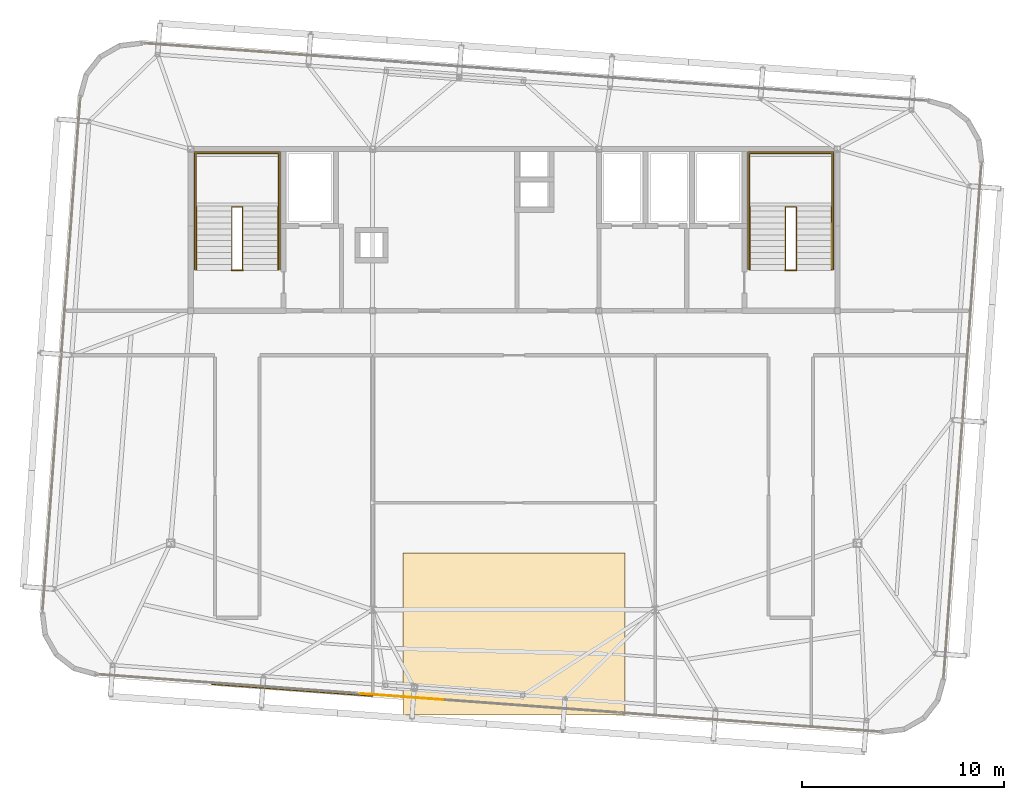
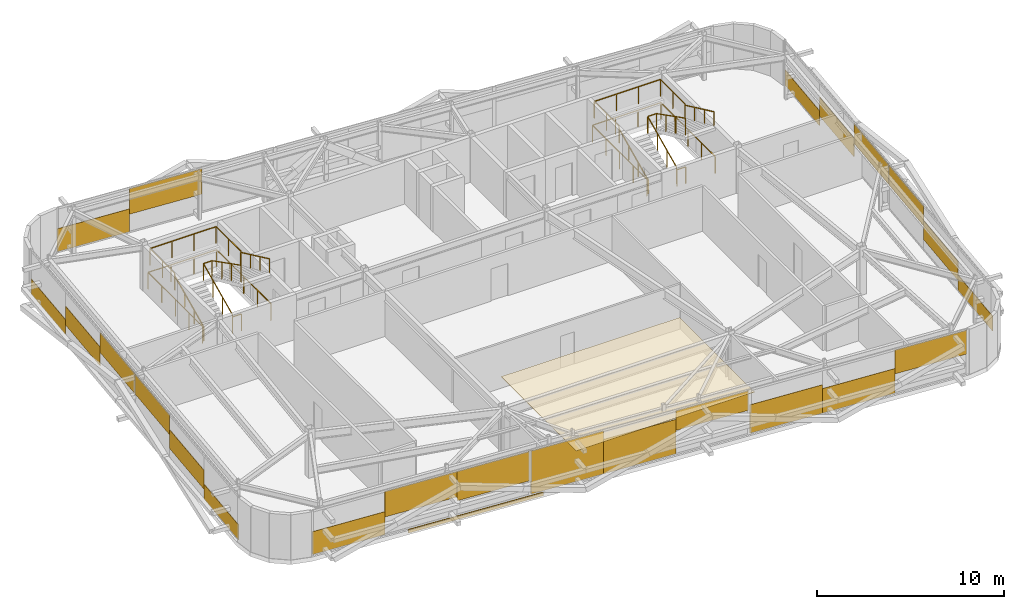
# One storey, part 34 of 35: 25 coverings, 12 railings.
"""IFC4 building model written with IfcOpenShell, lengths in metres."""

from ifc_helpers import new_model, si_unit, direction, frame, origin, origin_2d, place, context, subcontext, project, spatial, rectangle, extrude, source, transform, mapped, material, layer, layer_set, type_object, element, save


model = new_model("IFC4")

# Units and contexts
model_context = context("Model", 3, precision=1e-05, world=origin(), true_north=direction((0.0, 1.0)))
body_context = subcontext(model_context, "Body", "Model", "MODEL_VIEW")
ifc_project = project(units=[si_unit("LENGTHUNIT", "METRE"), si_unit("AREAUNIT", "SQUARE_METRE"), si_unit("VOLUMEUNIT", "CUBIC_METRE"), si_unit("PLANEANGLEUNIT", "RADIAN"), si_unit("MASSUNIT", "GRAM", prefix="KILO")], contexts=[model_context])

# Site, building, storey
site_placement = place(None, origin())
site = spatial("IfcSite", under=ifc_project, at=site_placement, CompositionType="ELEMENT")
building_placement = place(site_placement, origin())
building = spatial("IfcBuilding", under=site, at=building_placement, Name="Taldren Reach Tower", CompositionType="ELEMENT")
storey_placement = place(building_placement, frame((0.0, 0.0, 236.60009765625)))
storey = spatial("IfcBuildingStorey", under=building, at=storey_placement, Name="L72", CompositionType="ELEMENT", Elevation=236.60009765625)

# Railings
ifc_material_1 = material(Name="Steel Gr 350 (C350L0)", Category="steel")
ifc_layer_1 = layer(ifc_material_1, 0.050048828125)
ifc_layer_set_1 = layer_set([ifc_layer_1], Name="Steel Gr 350 (C350L0)")
railing_type_1 = type_object("IfcRailingType", Name="RL-STAIR-GR", PredefinedType="GUARDRAIL", material=ifc_layer_set_1)
railing_1_placement = place(storey_placement, frame((19.260009765625, 29.135009765625, 1.574951171875)))
element("IfcRailing", 1, at=railing_1_placement, inside=storey, type_object=railing_type_1, Name="Stair half-landing perimeter guard ST1-L72", PredefinedType="GUARDRAIL", context=body_context, shape_type="SweptSolid", body=[
    extrude(rectangle(XDim=0.047852, YDim=0.047852, at=origin_2d()), frame((0.0, 0.0, 1.09619140625), z_axis=(0.0, 1.0, 0.0), x_axis=(-1.0, 0.0, 0.0)), (0.0, 0.0, 1.0), 2.64501953125),
    extrude(rectangle(XDim=0.047852, YDim=0.047852, at=origin_2d()), frame((0.0, 2.64501953125, 1.09619140625), z_axis=(1.0, 0.0, 0.0), x_axis=(0.0, 1.0, 0.0)), (0.0, 0.0, 1.0), 4.080078125),
    extrude(rectangle(XDim=0.047852, YDim=0.047852, at=origin_2d()), frame((4.080078125, 2.64501953125, 1.09619140625), z_axis=(0.0, -1.0, 0.0), x_axis=(1.0, 0.0, 0.0)), (0.0, 0.0, 1.0), 2.64501953125),
    extrude(rectangle(XDim=0.041992, YDim=0.041992, at=origin_2d()), origin(), (0.0, 0.0, 1.0), 1.072021484375),
    extrude(rectangle(XDim=0.041992, YDim=0.041992, at=origin_2d()), frame((0.0, 1.322509765625, 0.0)), (0.0, 0.0, 1.0), 1.072021484375),
    extrude(rectangle(XDim=0.041992, YDim=0.041992, at=origin_2d()), frame((0.0, 2.64501953125, 0.0)), (0.0, 0.0, 1.0), 1.072021484375),
    extrude(rectangle(XDim=0.041992, YDim=0.041992, at=origin_2d()), frame((1.360107421875, 2.64501953125, 0.0)), (0.0, 0.0, 1.0), 1.072021484375),
    extrude(rectangle(XDim=0.041992, YDim=0.041992, at=origin_2d()), frame((2.719970703125, 2.64501953125, 0.0)), (0.0, 0.0, 1.0), 1.072021484375),
    extrude(rectangle(XDim=0.041992, YDim=0.041992, at=origin_2d()), frame((4.080078125, 2.64501953125, 0.0)), (0.0, 0.0, 1.0), 1.072021484375),
    extrude(rectangle(XDim=0.041992, YDim=0.041992, at=origin_2d()), frame((4.080078125, 1.322509765625, 0.0)), (0.0, 0.0, 1.0), 1.072021484375),
    extrude(rectangle(XDim=0.041992, YDim=0.041992, at=origin_2d()), frame((4.080078125, 0.0, 0.0)), (0.0, 0.0, 1.0), 1.072021484375),
])
railing_2_placement = place(storey_placement, frame((21.030029296875, 26.050048828125, 0.131103515625)))
element("IfcRailing", 2, at=railing_2_placement, inside=storey, type_object=railing_type_1, Name="Stairwell inner guard ST1-L72", PredefinedType="GUARDRAIL", context=body_context, shape_type="SweptSolid", body=[
    extrude(rectangle(XDim=0.047852, YDim=0.047852, at=origin_2d()), frame((0.0, 0.0, 1.09619140625), z_axis=(0.0, 0.905710134349, 0.423897573167), x_axis=(-1.0, 0.0, 0.0)), (0.0, 0.0, 1.0), 3.406005859375),
    extrude(rectangle(XDim=0.047852, YDim=0.047852, at=origin_2d()), frame((0.0, 3.0849609375, 2.5400390625), z_axis=(1.0, 0.0, 0.0), x_axis=(0.0, 1.0, 0.0)), (0.0, 0.0, 1.0), 0.5400390625),
    extrude(rectangle(XDim=0.047852, YDim=0.047852, at=origin_2d()), frame((0.5400390625, 3.0849609375, 2.5400390625), z_axis=(0.0, -0.890645957773, 0.45469745755), x_axis=(1.0, 0.0, 0.0)), (0.0, 0.0, 1.0), 3.463623046875),
    extrude(rectangle(XDim=0.041992, YDim=0.041992, at=origin_2d()), origin(), (0.0, 0.0, 1.0), 1.072021484375),
    extrude(rectangle(XDim=0.041992, YDim=0.041992, at=origin_2d()), frame((0.0, 1.0283203125, 0.481201171875)), (0.0, 0.0, 1.0), 1.072021484375),
    extrude(rectangle(XDim=0.041992, YDim=0.041992, at=origin_2d()), frame((0.0, 2.056640625, 0.962646484375)), (0.0, 0.0, 1.0), 1.072021484375),
    extrude(rectangle(XDim=0.041992, YDim=0.041992, at=origin_2d()), frame((0.0, 3.0849609375, 1.44384765625)), (0.0, 0.0, 1.0), 1.072021484375),
    extrude(rectangle(XDim=0.041992, YDim=0.041992, at=origin_2d()), frame((0.5400390625, 3.0849609375, 1.44384765625)), (0.0, 0.0, 1.0), 1.072021484375),
    extrude(rectangle(XDim=0.041992, YDim=0.041992, at=origin_2d()), frame((0.5400390625, 2.056640625, 1.96875)), (0.0, 0.0, 1.0), 1.072021484375),
    extrude(rectangle(XDim=0.041992, YDim=0.041992, at=origin_2d()), frame((0.5400390625, 1.0283203125, 2.493896484375)), (0.0, 0.0, 1.0), 1.072021484375),
    extrude(rectangle(XDim=0.041992, YDim=0.041992, at=origin_2d()), frame((0.5400390625, 0.0, 3.018798828125)), (0.0, 0.0, 1.0), 1.072021484375),
])
railing_3_placement = place(storey_placement, frame((21.030029296875, 26.010009765625, 0.0)))
element("IfcRailing", 3, at=railing_3_placement, inside=storey, type_object=railing_type_1, Name="Stairwell landing slot guard ST1-L72", PredefinedType="GUARDRAIL", context=body_context, shape_type="SweptSolid", body=[
    extrude(rectangle(XDim=0.047852, YDim=0.047852, at=origin_2d()), frame((0.0, 0.0, 1.09619140625), z_axis=(1.0, 0.0, 0.0), x_axis=(0.0, 1.0, 0.0)), (0.0, 0.0, 1.0), 0.5400390625),
    extrude(rectangle(XDim=0.041992, YDim=0.041992, at=origin_2d()), origin(), (0.0, 0.0, 1.0), 1.072021484375),
    extrude(rectangle(XDim=0.041992, YDim=0.041992, at=origin_2d()), frame((0.5400390625, 0.0, 0.0)), (0.0, 0.0, 1.0), 1.072021484375),
])
railing_4_placement = place(storey_placement, frame((19.18994140625, 26.050048828125, 0.0)))
element("IfcRailing", 4, at=railing_4_placement, inside=storey, type_object=railing_type_1, Name="Stairwell floor opening guard ST1-L72", PredefinedType="GUARDRAIL", context=body_context, shape_type="SweptSolid", body=[
    extrude(rectangle(XDim=0.047852, YDim=0.047852, at=origin_2d()), frame((0.0, 0.0, 1.09619140625), z_axis=(0.0, 1.0, 0.0), x_axis=(-1.0, 0.0, 0.0)), (0.0, 0.0, 1.0), 5.800048828125),
    extrude(rectangle(XDim=0.047852, YDim=0.047852, at=origin_2d()), frame((0.0, 5.800048828125, 1.09619140625), z_axis=(1.0, 0.0, 0.0), x_axis=(0.0, 1.0, 0.0)), (0.0, 0.0, 1.0), 4.219970703125),
    extrude(rectangle(XDim=0.047852, YDim=0.047852, at=origin_2d()), frame((4.219970703125, 5.800048828125, 1.09619140625), z_axis=(0.0, -1.0, 0.0), x_axis=(1.0, 0.0, 0.0)), (0.0, 0.0, 1.0), 5.800048828125),
    extrude(rectangle(XDim=0.041992, YDim=0.041992, at=origin_2d()), origin(), (0.0, 0.0, 1.0), 1.072021484375),
    extrude(rectangle(XDim=0.041992, YDim=0.041992, at=origin_2d()), frame((0.0, 1.449951171875, 0.0)), (0.0, 0.0, 1.0), 1.072021484375),
    extrude(rectangle(XDim=0.041992, YDim=0.041992, at=origin_2d()), frame((0.0, 2.89990234375, 0.0)), (0.0, 0.0, 1.0), 1.072021484375),
    extrude(rectangle(XDim=0.041992, YDim=0.041992, at=origin_2d()), frame((0.0, 4.35009765625, 0.0)), (0.0, 0.0, 1.0), 1.072021484375),
    extrude(rectangle(XDim=0.041992, YDim=0.041992, at=origin_2d()), frame((0.0, 5.800048828125, 0.0)), (0.0, 0.0, 1.0), 1.072021484375),
    extrude(rectangle(XDim=0.041992, YDim=0.041992, at=origin_2d()), frame((1.40673828125, 5.800048828125, 0.0)), (0.0, 0.0, 1.0), 1.072021484375),
    extrude(rectangle(XDim=0.041992, YDim=0.041992, at=origin_2d()), frame((2.813232421875, 5.800048828125, 0.0)), (0.0, 0.0, 1.0), 1.072021484375),
    extrude(rectangle(XDim=0.041992, YDim=0.041992, at=origin_2d()), frame((4.219970703125, 5.800048828125, 0.0)), (0.0, 0.0, 1.0), 1.072021484375),
    extrude(rectangle(XDim=0.041992, YDim=0.041992, at=origin_2d()), frame((4.219970703125, 4.35009765625, 0.0)), (0.0, 0.0, 1.0), 1.072021484375),
    extrude(rectangle(XDim=0.041992, YDim=0.041992, at=origin_2d()), frame((4.219970703125, 2.89990234375, 0.0)), (0.0, 0.0, 1.0), 1.072021484375),
    extrude(rectangle(XDim=0.041992, YDim=0.041992, at=origin_2d()), frame((4.219970703125, 1.449951171875, 0.0)), (0.0, 0.0, 1.0), 1.072021484375),
    extrude(rectangle(XDim=0.041992, YDim=0.041992, at=origin_2d()), frame((4.219970703125, 0.0, 0.0)), (0.0, 0.0, 1.0), 1.072021484375),
])
railing_5_placement = place(storey_placement, frame((46.659912109375, 29.135009765625, 1.574951171875)))
element("IfcRailing", 5, at=railing_5_placement, inside=storey, type_object=railing_type_1, Name="Stair half-landing perimeter guard ST2-L72", PredefinedType="GUARDRAIL", context=body_context, shape_type="SweptSolid", body=[
    extrude(rectangle(XDim=0.047852, YDim=0.047852, at=origin_2d()), frame((0.0, 0.0, 1.09619140625), z_axis=(0.0, 1.0, 0.0), x_axis=(-1.0, 0.0, 0.0)), (0.0, 0.0, 1.0), 2.64501953125),
    extrude(rectangle(XDim=0.047852, YDim=0.047852, at=origin_2d()), frame((0.0, 2.64501953125, 1.09619140625), z_axis=(1.0, 0.0, 0.0), x_axis=(0.0, 1.0, 0.0)), (0.0, 0.0, 1.0), 4.080078125),
    extrude(rectangle(XDim=0.047852, YDim=0.047852, at=origin_2d()), frame((4.080078125, 2.64501953125, 1.09619140625), z_axis=(0.0, -1.0, 0.0), x_axis=(1.0, 0.0, 0.0)), (0.0, 0.0, 1.0), 2.64501953125),
    extrude(rectangle(XDim=0.041992, YDim=0.041992, at=origin_2d()), origin(), (0.0, 0.0, 1.0), 1.072021484375),
    extrude(rectangle(XDim=0.041992, YDim=0.041992, at=origin_2d()), frame((0.0, 1.322509765625, 0.0)), (0.0, 0.0, 1.0), 1.072021484375),
    extrude(rectangle(XDim=0.041992, YDim=0.041992, at=origin_2d()), frame((0.0, 2.64501953125, 0.0)), (0.0, 0.0, 1.0), 1.072021484375),
    extrude(rectangle(XDim=0.041992, YDim=0.041992, at=origin_2d()), frame((1.360107421875, 2.64501953125, 0.0)), (0.0, 0.0, 1.0), 1.072021484375),
    extrude(rectangle(XDim=0.041992, YDim=0.041992, at=origin_2d()), frame((2.719970703125, 2.64501953125, 0.0)), (0.0, 0.0, 1.0), 1.072021484375),
    extrude(rectangle(XDim=0.041992, YDim=0.041992, at=origin_2d()), frame((4.080078125, 2.64501953125, 0.0)), (0.0, 0.0, 1.0), 1.072021484375),
    extrude(rectangle(XDim=0.041992, YDim=0.041992, at=origin_2d()), frame((4.080078125, 1.322509765625, 0.0)), (0.0, 0.0, 1.0), 1.072021484375),
    extrude(rectangle(XDim=0.041992, YDim=0.041992, at=origin_2d()), frame((4.080078125, 0.0, 0.0)), (0.0, 0.0, 1.0), 1.072021484375),
])
railing_6_placement = place(storey_placement, frame((48.429931640625, 26.050048828125, 0.131103515625)))
element("IfcRailing", 6, at=railing_6_placement, inside=storey, type_object=railing_type_1, Name="Stairwell inner guard ST2-L72", PredefinedType="GUARDRAIL", context=body_context, shape_type="SweptSolid", body=[
    extrude(rectangle(XDim=0.047852, YDim=0.047852, at=origin_2d()), frame((0.0, 0.0, 1.09619140625), z_axis=(0.0, 0.905710134349, 0.423897573167), x_axis=(-1.0, 0.0, 0.0)), (0.0, 0.0, 1.0), 3.406005859375),
    extrude(rectangle(XDim=0.047852, YDim=0.047852, at=origin_2d()), frame((0.0, 3.0849609375, 2.5400390625), z_axis=(1.0, 0.0, 0.0), x_axis=(0.0, 1.0, 0.0)), (0.0, 0.0, 1.0), 0.5400390625),
    extrude(rectangle(XDim=0.047852, YDim=0.047852, at=origin_2d()), frame((0.5400390625, 3.0849609375, 2.5400390625), z_axis=(0.0, -0.890645957773, 0.45469745755), x_axis=(1.0, 0.0, 0.0)), (0.0, 0.0, 1.0), 3.463623046875),
    extrude(rectangle(XDim=0.041992, YDim=0.041992, at=origin_2d()), origin(), (0.0, 0.0, 1.0), 1.072021484375),
    extrude(rectangle(XDim=0.041992, YDim=0.041992, at=origin_2d()), frame((0.0, 1.0283203125, 0.481201171875)), (0.0, 0.0, 1.0), 1.072021484375),
    extrude(rectangle(XDim=0.041992, YDim=0.041992, at=origin_2d()), frame((0.0, 2.056640625, 0.962646484375)), (0.0, 0.0, 1.0), 1.072021484375),
    extrude(rectangle(XDim=0.041992, YDim=0.041992, at=origin_2d()), frame((0.0, 3.0849609375, 1.44384765625)), (0.0, 0.0, 1.0), 1.072021484375),
    extrude(rectangle(XDim=0.041992, YDim=0.041992, at=origin_2d()), frame((0.5400390625, 3.0849609375, 1.44384765625)), (0.0, 0.0, 1.0), 1.072021484375),
    extrude(rectangle(XDim=0.041992, YDim=0.041992, at=origin_2d()), frame((0.5400390625, 2.056640625, 1.96875)), (0.0, 0.0, 1.0), 1.072021484375),
    extrude(rectangle(XDim=0.041992, YDim=0.041992, at=origin_2d()), frame((0.5400390625, 1.0283203125, 2.493896484375)), (0.0, 0.0, 1.0), 1.072021484375),
    extrude(rectangle(XDim=0.041992, YDim=0.041992, at=origin_2d()), frame((0.5400390625, 0.0, 3.018798828125)), (0.0, 0.0, 1.0), 1.072021484375),
])
railing_7_placement = place(storey_placement, frame((48.429931640625, 26.010009765625, 0.0)))
element("IfcRailing", 7, at=railing_7_placement, inside=storey, type_object=railing_type_1, Name="Stairwell landing slot guard ST2-L72", PredefinedType="GUARDRAIL", context=body_context, shape_type="SweptSolid", body=[
    extrude(rectangle(XDim=0.047852, YDim=0.047852, at=origin_2d()), frame((0.0, 0.0, 1.09619140625), z_axis=(1.0, 0.0, 0.0), x_axis=(0.0, 1.0, 0.0)), (0.0, 0.0, 1.0), 0.5400390625),
    extrude(rectangle(XDim=0.041992, YDim=0.041992, at=origin_2d()), origin(), (0.0, 0.0, 1.0), 1.072021484375),
    extrude(rectangle(XDim=0.041992, YDim=0.041992, at=origin_2d()), frame((0.5400390625, 0.0, 0.0)), (0.0, 0.0, 1.0), 1.072021484375),
])
railing_8_placement = place(storey_placement, frame((46.590087890625, 26.050048828125, 0.0)))
element("IfcRailing", 8, at=railing_8_placement, inside=storey, type_object=railing_type_1, Name="Stairwell floor opening guard ST2-L72", PredefinedType="GUARDRAIL", context=body_context, shape_type="SweptSolid", body=[
    extrude(rectangle(XDim=0.047852, YDim=0.047852, at=origin_2d()), frame((0.0, 0.0, 1.09619140625), z_axis=(0.0, 1.0, 0.0), x_axis=(-1.0, 0.0, 0.0)), (0.0, 0.0, 1.0), 5.800048828125),
    extrude(rectangle(XDim=0.047852, YDim=0.047852, at=origin_2d()), frame((0.0, 5.800048828125, 1.09619140625), z_axis=(1.0, 0.0, 0.0), x_axis=(0.0, 1.0, 0.0)), (0.0, 0.0, 1.0), 4.219970703125),
    extrude(rectangle(XDim=0.047852, YDim=0.047852, at=origin_2d()), frame((4.219970703125, 5.800048828125, 1.09619140625), z_axis=(0.0, -1.0, 0.0), x_axis=(1.0, 0.0, 0.0)), (0.0, 0.0, 1.0), 5.800048828125),
    extrude(rectangle(XDim=0.041992, YDim=0.041992, at=origin_2d()), origin(), (0.0, 0.0, 1.0), 1.072021484375),
    extrude(rectangle(XDim=0.041992, YDim=0.041992, at=origin_2d()), frame((0.0, 1.449951171875, 0.0)), (0.0, 0.0, 1.0), 1.072021484375),
    extrude(rectangle(XDim=0.041992, YDim=0.041992, at=origin_2d()), frame((0.0, 2.89990234375, 0.0)), (0.0, 0.0, 1.0), 1.072021484375),
    extrude(rectangle(XDim=0.041992, YDim=0.041992, at=origin_2d()), frame((0.0, 4.35009765625, 0.0)), (0.0, 0.0, 1.0), 1.072021484375),
    extrude(rectangle(XDim=0.041992, YDim=0.041992, at=origin_2d()), frame((0.0, 5.800048828125, 0.0)), (0.0, 0.0, 1.0), 1.072021484375),
    extrude(rectangle(XDim=0.041992, YDim=0.041992, at=origin_2d()), frame((1.40673828125, 5.800048828125, 0.0)), (0.0, 0.0, 1.0), 1.072021484375),
    extrude(rectangle(XDim=0.041992, YDim=0.041992, at=origin_2d()), frame((2.813232421875, 5.800048828125, 0.0)), (0.0, 0.0, 1.0), 1.072021484375),
    extrude(rectangle(XDim=0.041992, YDim=0.041992, at=origin_2d()), frame((4.219970703125, 5.800048828125, 0.0)), (0.0, 0.0, 1.0), 1.072021484375),
    extrude(rectangle(XDim=0.041992, YDim=0.041992, at=origin_2d()), frame((4.219970703125, 4.35009765625, 0.0)), (0.0, 0.0, 1.0), 1.072021484375),
    extrude(rectangle(XDim=0.041992, YDim=0.041992, at=origin_2d()), frame((4.219970703125, 2.89990234375, 0.0)), (0.0, 0.0, 1.0), 1.072021484375),
    extrude(rectangle(XDim=0.041992, YDim=0.041992, at=origin_2d()), frame((4.219970703125, 1.449951171875, 0.0)), (0.0, 0.0, 1.0), 1.072021484375),
    extrude(rectangle(XDim=0.041992, YDim=0.041992, at=origin_2d()), frame((4.219970703125, 0.0, 0.0)), (0.0, 0.0, 1.0), 1.072021484375),
])
ifc_material_2 = material(Name="Stainless Steel Gr 316", Category="steel")
ifc_layer_2 = layer(ifc_material_2, 0.048095703125)
ifc_layer_set_2 = layer_set([ifc_layer_2], Name="Stainless Steel Gr 316")
railing_type_2 = type_object("IfcRailingType", Name="RL-STAIR-HR", PredefinedType="HANDRAIL", material=ifc_layer_set_2)
railing_9_placement = place(storey_placement, frame((19.27001953125, 26.050048828125, 0.131103515625)))
element("IfcRailing", 9, at=railing_9_placement, inside=storey, type_object=railing_type_2, Name="Stair flight handrail ST1-L72-1", PredefinedType="HANDRAIL", context=body_context, shape_type="SweptSolid", body=[
    extrude(rectangle(XDim=0.047852, YDim=0.047852, at=origin_2d()), frame((0.0, 0.0, 0.89599609375), z_axis=(0.0, 0.905710134349, 0.423897573167), x_axis=(-1.0, 0.0, 0.0)), (0.0, 0.0, 1.0), 3.406005859375),
    extrude(rectangle(XDim=0.041992, YDim=0.041992, at=origin_2d()), origin(), (0.0, 0.0, 1.0), 0.871826171875),
    extrude(rectangle(XDim=0.041992, YDim=0.041992, at=origin_2d()), frame((0.0, 1.0283203125, 0.481201171875)), (0.0, 0.0, 1.0), 0.871826171875),
    extrude(rectangle(XDim=0.041992, YDim=0.041992, at=origin_2d()), frame((0.0, 2.056640625, 0.962646484375)), (0.0, 0.0, 1.0), 0.871826171875),
    extrude(rectangle(XDim=0.041992, YDim=0.041992, at=origin_2d()), frame((0.0, 3.0849609375, 1.44384765625)), (0.0, 0.0, 1.0), 0.871826171875),
])
railing_10_placement = place(storey_placement, frame((23.330078125, 29.135009765625, 1.706298828125)))
element("IfcRailing", 10, at=railing_10_placement, inside=storey, type_object=railing_type_2, Name="Stair flight handrail ST1-L72-2", PredefinedType="HANDRAIL", context=body_context, shape_type="SweptSolid", body=[
    extrude(rectangle(XDim=0.047852, YDim=0.047852, at=origin_2d()), frame((0.0, 0.0, 0.89599609375), z_axis=(0.0, -0.905737652094, 0.423838773095), x_axis=(1.0, 0.0, 0.0)), (0.0, 0.0, 1.0), 3.406005859375),
    extrude(rectangle(XDim=0.041992, YDim=0.041992, at=origin_2d()), origin(), (0.0, 0.0, 1.0), 0.871826171875),
    extrude(rectangle(XDim=0.041992, YDim=0.041992, at=origin_2d()), frame((0.0, -1.0283203125, 0.481201171875)), (0.0, 0.0, 1.0), 0.871826171875),
    extrude(rectangle(XDim=0.041992, YDim=0.041992, at=origin_2d()), frame((0.0, -2.056640625, 0.96240234375)), (0.0, 0.0, 1.0), 0.871826171875),
    extrude(rectangle(XDim=0.041992, YDim=0.041992, at=origin_2d()), frame((0.0, -3.0849609375, 1.443603515625)), (0.0, 0.0, 1.0), 0.871826171875),
])
railing_11_placement = place(storey_placement, frame((46.669921875, 26.050048828125, 0.131103515625)))
element("IfcRailing", 11, at=railing_11_placement, inside=storey, type_object=railing_type_2, Name="Stair flight handrail ST2-L72-1", PredefinedType="HANDRAIL", context=body_context, shape_type="SweptSolid", body=[
    extrude(rectangle(XDim=0.047852, YDim=0.047852, at=origin_2d()), frame((0.0, 0.0, 0.89599609375), z_axis=(0.0, 0.905710134349, 0.423897573167), x_axis=(-1.0, 0.0, 0.0)), (0.0, 0.0, 1.0), 3.406005859375),
    extrude(rectangle(XDim=0.041992, YDim=0.041992, at=origin_2d()), origin(), (0.0, 0.0, 1.0), 0.871826171875),
    extrude(rectangle(XDim=0.041992, YDim=0.041992, at=origin_2d()), frame((0.0, 1.0283203125, 0.481201171875)), (0.0, 0.0, 1.0), 0.871826171875),
    extrude(rectangle(XDim=0.041992, YDim=0.041992, at=origin_2d()), frame((0.0, 2.056640625, 0.962646484375)), (0.0, 0.0, 1.0), 0.871826171875),
    extrude(rectangle(XDim=0.041992, YDim=0.041992, at=origin_2d()), frame((0.0, 3.0849609375, 1.44384765625)), (0.0, 0.0, 1.0), 0.871826171875),
])
railing_12_placement = place(storey_placement, frame((50.72998046875, 29.135009765625, 1.706298828125)))
element("IfcRailing", 12, at=railing_12_placement, inside=storey, type_object=railing_type_2, Name="Stair flight handrail ST2-L72-2", PredefinedType="HANDRAIL", context=body_context, shape_type="SweptSolid", body=[
    extrude(rectangle(XDim=0.047852, YDim=0.047852, at=origin_2d()), frame((0.0, 0.0, 0.89599609375), z_axis=(0.0, -0.905737652094, 0.423838773095), x_axis=(1.0, 0.0, 0.0)), (0.0, 0.0, 1.0), 3.406005859375),
    extrude(rectangle(XDim=0.041992, YDim=0.041992, at=origin_2d()), origin(), (0.0, 0.0, 1.0), 0.871826171875),
    extrude(rectangle(XDim=0.041992, YDim=0.041992, at=origin_2d()), frame((0.0, -1.0283203125, 0.481201171875)), (0.0, 0.0, 1.0), 0.871826171875),
    extrude(rectangle(XDim=0.041992, YDim=0.041992, at=origin_2d()), frame((0.0, -2.056640625, 0.96240234375)), (0.0, 0.0, 1.0), 0.871826171875),
    extrude(rectangle(XDim=0.041992, YDim=0.041992, at=origin_2d()), frame((0.0, -3.0849609375, 1.443603515625)), (0.0, 0.0, 1.0), 0.871826171875),
])

# Coverings
ifc_material_3 = material(Name="Pale Champagne Fluoropolymer Aluminium Spandrel Cladding", Category="aluminium")
ifc_layer_3 = layer(ifc_material_3, 0.06005859375)
ifc_layer_set_3 = layer_set([ifc_layer_3], Name="Pale Champagne Fluoropolymer Aluminium Spandrel Cladding")
covering_type_1 = type_object("IfcCoveringType", Name="CV-CLAD-060", PredefinedType="CLADDING", material=ifc_layer_set_3)
shared_shape_1 = source(origin(), body_context, "Body", "SweptSolid", [
    extrude(rectangle(XDim=8.0, YDim=0.06005859375, at=origin_2d()), origin(), (0.0, 0.0, 1.0), 0.219970703125),
])
covering_1_placement = place(storey_placement, frame((24.02490234375, 5.236328125, -0.22021484375), z_axis=(0.0, 0.0, 1.0), x_axis=(0.997314477224, -0.073238197128, 0.0)))
element("IfcCovering", 13, at=covering_1_placement, inside=storey, type_object=covering_type_1, Name="Pale-metal architectural fascia band L72", PredefinedType="CLADDING", context=body_context, shape_type="MappedRepresentation", body=[
    mapped(shared_shape_1, transform((0.0, 0.0, 0.0), scale=1.0)),
])
ifc_material_4 = material(Name="Perforated Acoustic Mineral-Fibre Ceiling Tile")
ifc_layer_4 = layer(ifc_material_4, 0.02490234375)
ifc_layer_set_4 = layer_set([ifc_layer_4], Name="Perforated Acoustic Mineral-Fibre Ceiling Tile")
covering_type_2 = type_object("IfcCoveringType", Name="CV-CEIL-025", PredefinedType="CEILING", material=ifc_layer_set_4)
shared_shape_2 = source(origin(), body_context, "Body", "SweptSolid", [
    extrude(rectangle(XDim=11.0, YDim=8.0, at=origin_2d()), origin(), (0.0, 0.0, 1.0), 0.02490234375),
])
covering_2_placement = place(storey_placement, frame((35.0, 8.0, 2.70751953125), z_axis=(0.0, 0.0, 1.0), x_axis=(1.0, 0.0, 0.0)))
element("IfcCovering", 14, at=covering_2_placement, inside=storey, type_object=covering_type_2, Name="Suspended acoustic ceiling L72-11", PredefinedType="CEILING", context=body_context, shape_type="MappedRepresentation", body=[
    mapped(shared_shape_2, transform((0.0, 0.0, 0.0), scale=1.0)),
])
ifc_layer_5 = layer(ifc_material_3, 0.0439453125)
ifc_layer_set_5 = layer_set([ifc_layer_5], Name="Pale Champagne Fluoropolymer Aluminium Spandrel Cladding")
covering_type_3 = type_object("IfcCoveringType", Name="CV-CLAD-044", PredefinedType="CLADDING", material=ifc_layer_set_5)
shared_shape_3 = source(origin(), body_context, "Body", "SweptSolid", [
    extrude(rectangle(XDim=4.2958984375, YDim=0.0439453125, at=origin_2d()), origin(), (0.0, 0.0, 1.0), 1.495849609375),
])
for number, where, z_axis, x_axis, name in (
    (15, (16.5224609375, 5.847412109375, 0.06005859375), (0.0, 0.0, 1.0), (0.997314476006, -0.073238213716, 0.0), "Diagrid closure cladding strip CW-6 panel 1.1 1"),
    (16, (18.816162109375, 37.083251953125, 0.06005859375), (0.0, 0.0, 1.0), (-0.997314476006, 0.073238213716, 0.0), "Diagrid closure cladding strip CW-6 panel 3.1 3"),
):
    element("IfcCovering", number, at=place(storey_placement, frame(where, z_axis=z_axis, x_axis=x_axis)), inside=storey, type_object=covering_type_3, Name=name, PredefinedType="CLADDING", context=body_context, shape_type="MappedRepresentation", body=[
        mapped(shared_shape_3, transform((0.0, 0.0, 0.0), scale=1.0)),
    ])
shared_shape_4 = source(origin(), body_context, "Body", "SweptSolid", [
    extrude(rectangle(XDim=4.2958984375, YDim=0.0439453125, at=origin_2d()), origin(), (0.0, 0.0, 1.0), 1.665771484375),
])
for number, where, z_axis, x_axis, name in (
    (17, (20.806640625, 5.53271484375, 1.2041015625), (0.0, 0.0, 1.0), (0.997314476006, -0.073238213716, 0.0), "Diagrid closure cladding strip CW-6 panel 1.1 2"),
    (18, (23.1005859375, 36.7685546875, 1.2041015625), (0.0, 0.0, 1.0), (-0.997314476006, 0.073238213716, 0.0), "Diagrid closure cladding strip CW-6 panel 3.1 2"),
):
    element("IfcCovering", number, at=place(storey_placement, frame(where, z_axis=z_axis, x_axis=x_axis)), inside=storey, type_object=covering_type_3, Name=name, PredefinedType="CLADDING", context=body_context, shape_type="MappedRepresentation", body=[
        mapped(shared_shape_4, transform((0.0, 0.0, 0.0), scale=1.0)),
    ])
shared_shape_5 = source(origin(), body_context, "Body", "SweptSolid", [
    extrude(rectangle(XDim=4.2958984375, YDim=0.0439453125, at=origin_2d()), origin(), (0.0, 0.0, 1.0), 1.9169921875),
])
covering_3_placement = place(storey_placement, frame((25.091064453125, 5.21826171875, 0.952880859375), z_axis=(0.0, 0.0, 1.0), x_axis=(0.997314476006, -0.073238213716, 0.0)))
element("IfcCovering", 19, at=covering_3_placement, inside=storey, type_object=covering_type_3, Name="Diagrid closure cladding strip CW-6 panel 1.1 3", PredefinedType="CLADDING", context=body_context, shape_type="MappedRepresentation", body=[
    mapped(shared_shape_5, transform((0.0, 0.0, 0.0), scale=1.0)),
])
shared_shape_6 = source(origin(), body_context, "Body", "SweptSolid", [
    extrude(rectangle(XDim=4.308349609375, YDim=0.0439453125, at=origin_2d()), origin(), (0.0, 0.0, 1.0), 1.2802734375),
])
covering_4_placement = place(storey_placement, frame((38.0498046875, 4.2666015625, 1.589599609375), z_axis=(0.0, 0.0, 1.0), x_axis=(0.997314476006, -0.073238213716, 0.0)))
element("IfcCovering", 20, at=covering_4_placement, inside=storey, type_object=covering_type_3, Name="Diagrid closure cladding strip CW-6 panel 2.1 3", PredefinedType="CLADDING", context=body_context, shape_type="MappedRepresentation", body=[
    mapped(shared_shape_6, transform((0.0, 0.0, 0.0), scale=1.0)),
])
shared_shape_7 = source(origin(), body_context, "Body", "SweptSolid", [
    extrude(rectangle(XDim=4.2958984375, YDim=0.0439453125, at=origin_2d()), origin(), (0.0, 0.0, 1.0), 1.85693359375),
])
covering_5_placement = place(storey_placement, frame((42.415283203125, 3.946044921875, 0.06005859375), z_axis=(0.0, 0.0, 1.0), x_axis=(0.997314476006, -0.073238213716, 0.0)))
element("IfcCovering", 21, at=covering_5_placement, inside=storey, type_object=covering_type_3, Name="Diagrid closure cladding strip CW-6 panel 3.1 1", PredefinedType="CLADDING", context=body_context, shape_type="MappedRepresentation", body=[
    mapped(shared_shape_7, transform((0.0, 0.0, 0.0), scale=1.0)),
])
shared_shape_8 = source(origin(), body_context, "Body", "SweptSolid", [
    extrude(rectangle(XDim=4.2958984375, YDim=0.0439453125, at=origin_2d()), origin(), (0.0, 0.0, 1.0), 1.605712890625),
])
covering_6_placement = place(storey_placement, frame((46.699462890625, 3.63134765625, 0.06005859375), z_axis=(0.0, 0.0, 1.0), x_axis=(0.997314476006, -0.073238213716, 0.0)))
element("IfcCovering", 22, at=covering_6_placement, inside=storey, type_object=covering_type_3, Name="Diagrid closure cladding strip CW-6 panel 3.1 2", PredefinedType="CLADDING", context=body_context, shape_type="MappedRepresentation", body=[
    mapped(shared_shape_8, transform((0.0, 0.0, 0.0), scale=1.0)),
])
shared_shape_9 = source(origin(), body_context, "Body", "SweptSolid", [
    extrude(rectangle(XDim=4.2958984375, YDim=0.0439453125, at=origin_2d()), origin(), (0.0, 0.0, 1.0), 1.555908203125),
])
covering_7_placement = place(storey_placement, frame((50.98388671875, 3.316650390625, 1.31396484375), z_axis=(0.0, 0.0, 1.0), x_axis=(0.997314476006, -0.073238213716, 0.0)))
element("IfcCovering", 23, at=covering_7_placement, inside=storey, type_object=covering_type_3, Name="Diagrid closure cladding strip CW-6 panel 3.1 3", PredefinedType="CLADDING", context=body_context, shape_type="MappedRepresentation", body=[
    mapped(shared_shape_9, transform((0.0, 0.0, 0.0), scale=1.0)),
])
shared_shape_10 = source(origin(), body_context, "Body", "SweptSolid", [
    extrude(rectangle(XDim=4.229248046875, YDim=0.0439453125, at=origin_2d()), origin(), (0.0, 0.0, 1.0), 0.981201171875),
])
for number, where, z_axis, x_axis, name in (
    (24, (13.377197265625, 32.41943359375, 0.06005859375), (0.0, 0.0, 1.0), (-0.073238282558, -0.997314470951, 0.0), "Diagrid closure cladding strip CW-6 panel 1.1 1"),
    (25, (11.822998046875, 11.255615234375, 0.06005859375), (0.0, 0.0, 1.0), (-0.073238282558, -0.997314470951, 0.0), "Diagrid closure cladding strip CW-6 panel 2.1 3"),
    (26, (56.4228515625, 7.98046875, 0.06005859375), (0.0, 0.0, 1.0), (0.073238282558, 0.997314470951, 0.0), "Diagrid closure cladding strip CW-6 panel 1.1 1"),
    (27, (57.97705078125, 29.144287109375, 0.06005859375), (0.0, 0.0, 1.0), (0.073238282558, 0.997314470951, 0.0), "Diagrid closure cladding strip CW-6 panel 2.1 3"),
):
    element("IfcCovering", number, at=place(storey_placement, frame(where, z_axis=z_axis, x_axis=x_axis)), inside=storey, type_object=covering_type_3, Name=name, PredefinedType="CLADDING", context=body_context, shape_type="MappedRepresentation", body=[
        mapped(shared_shape_10, transform((0.0, 0.0, 0.0), scale=1.0)),
    ])
shared_shape_11 = source(origin(), body_context, "Body", "SweptSolid", [
    extrude(rectangle(XDim=4.229248046875, YDim=0.0439453125, at=origin_2d()), origin(), (0.0, 0.0, 1.0), 1.22802734375),
])
for number, where, z_axis, x_axis, name in (
    (28, (13.0673828125, 28.20166015625, 0.69921875), (0.0, 0.0, 1.0), (-0.073238282558, -0.997314470951, 0.0), "Diagrid closure cladding strip CW-6 panel 1.1 2"),
    (29, (12.1328125, 15.473388671875, 0.69921875), (0.0, 0.0, 1.0), (-0.073238282558, -0.997314470951, 0.0), "Diagrid closure cladding strip CW-6 panel 2.1 2"),
    (30, (56.732666015625, 12.1982421875, 0.69921875), (0.0, 0.0, 1.0), (0.073238282558, 0.997314470951, 0.0), "Diagrid closure cladding strip CW-6 panel 1.1 2"),
    (31, (57.667236328125, 24.926513671875, 0.69921875), (0.0, 0.0, 1.0), (0.073238282558, 0.997314470951, 0.0), "Diagrid closure cladding strip CW-6 panel 2.1 2"),
):
    element("IfcCovering", number, at=place(storey_placement, frame(where, z_axis=z_axis, x_axis=x_axis)), inside=storey, type_object=covering_type_3, Name=name, PredefinedType="CLADDING", context=body_context, shape_type="MappedRepresentation", body=[
        mapped(shared_shape_11, transform((0.0, 0.0, 0.0), scale=1.0)),
    ])
shared_shape_12 = source(origin(), body_context, "Body", "SweptSolid", [
    extrude(rectangle(XDim=4.229248046875, YDim=0.0439453125, at=origin_2d()), origin(), (0.0, 0.0, 1.0), 1.284912109375),
])
for number, where, z_axis, x_axis, name in (
    (32, (12.757568359375, 23.98388671875, 1.5849609375), (0.0, 0.0, 1.0), (-0.073238282558, -0.997314470951, 0.0), "Diagrid closure cladding strip CW-6 panel 1.1 3"),
    (33, (12.4423828125, 19.69140625, 1.5849609375), (0.0, 0.0, 1.0), (-0.073238282558, -0.997314470951, 0.0), "Diagrid closure cladding strip CW-6 panel 2.1 1"),
    (34, (57.042236328125, 16.416015625, 1.5849609375), (0.0, 0.0, 1.0), (0.073238282558, 0.997314470951, 0.0), "Diagrid closure cladding strip CW-6 panel 1.1 3"),
    (35, (57.357666015625, 20.708740234375, 1.5849609375), (0.0, 0.0, 1.0), (0.073238282558, 0.997314470951, 0.0), "Diagrid closure cladding strip CW-6 panel 2.1 1"),
):
    element("IfcCovering", number, at=place(storey_placement, frame(where, z_axis=z_axis, x_axis=x_axis)), inside=storey, type_object=covering_type_3, Name=name, PredefinedType="CLADDING", context=body_context, shape_type="MappedRepresentation", body=[
        mapped(shared_shape_12, transform((0.0, 0.0, 0.0), scale=1.0)),
    ])
shared_shape_13 = source(origin(), body_context, "Body", "SweptSolid", [
    extrude(rectangle(XDim=4.308349609375, YDim=0.0439453125, at=origin_2d()), origin(), (0.0, 0.0, 1.0), 2.81005859375),
])
covering_8_placement = place(storey_placement, frame((29.456298828125, 4.897705078125, 0.059814453125), z_axis=(0.0, 0.0, 1.0), x_axis=(0.997314476006, -0.073238213716, 0.0)))
element("IfcCovering", 36, at=covering_8_placement, inside=storey, type_object=covering_type_3, Name="Diagrid closure cladding strip CW-6 panel 2.1 1", PredefinedType="CLADDING", context=body_context, shape_type="MappedRepresentation", body=[
    mapped(shared_shape_13, transform((0.0, 0.0, 0.0), scale=1.0)),
])
shared_shape_14 = source(origin(), body_context, "Body", "SweptSolid", [
    extrude(rectangle(XDim=4.308349609375, YDim=0.0439453125, at=origin_2d()), origin(), (0.0, 0.0, 1.0), 2.250732421875),
])
covering_9_placement = place(storey_placement, frame((33.753173828125, 4.58203125, 0.06005859375), z_axis=(0.0, 0.0, 1.0), x_axis=(0.997314476006, -0.073238213716, 0.0)))
element("IfcCovering", 37, at=covering_9_placement, inside=storey, type_object=covering_type_3, Name="Diagrid closure cladding strip CW-6 panel 2.1 2", PredefinedType="CLADDING", context=body_context, shape_type="MappedRepresentation", body=[
    mapped(shared_shape_14, transform((0.0, 0.0, 0.0), scale=1.0)),
])

save(model, "model.ifc")
